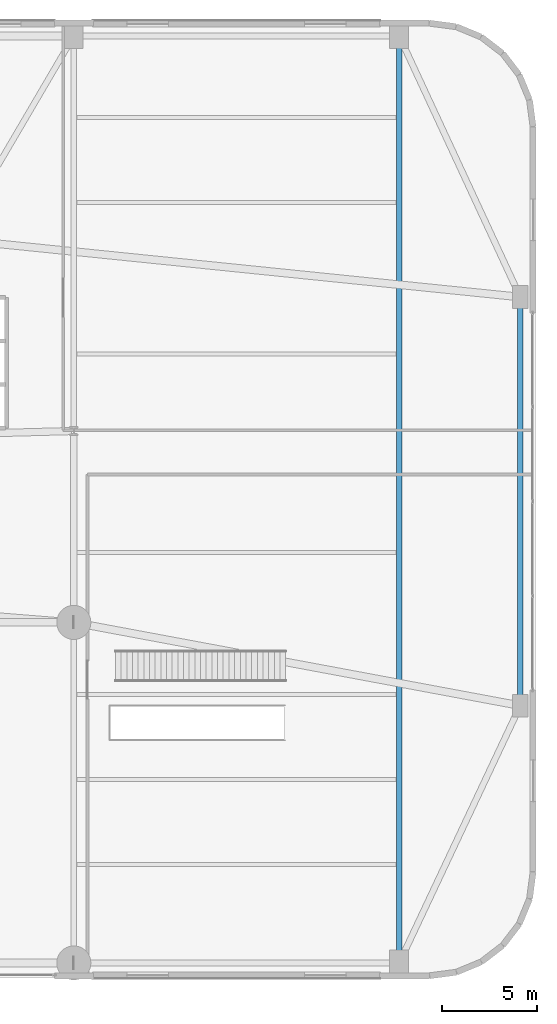
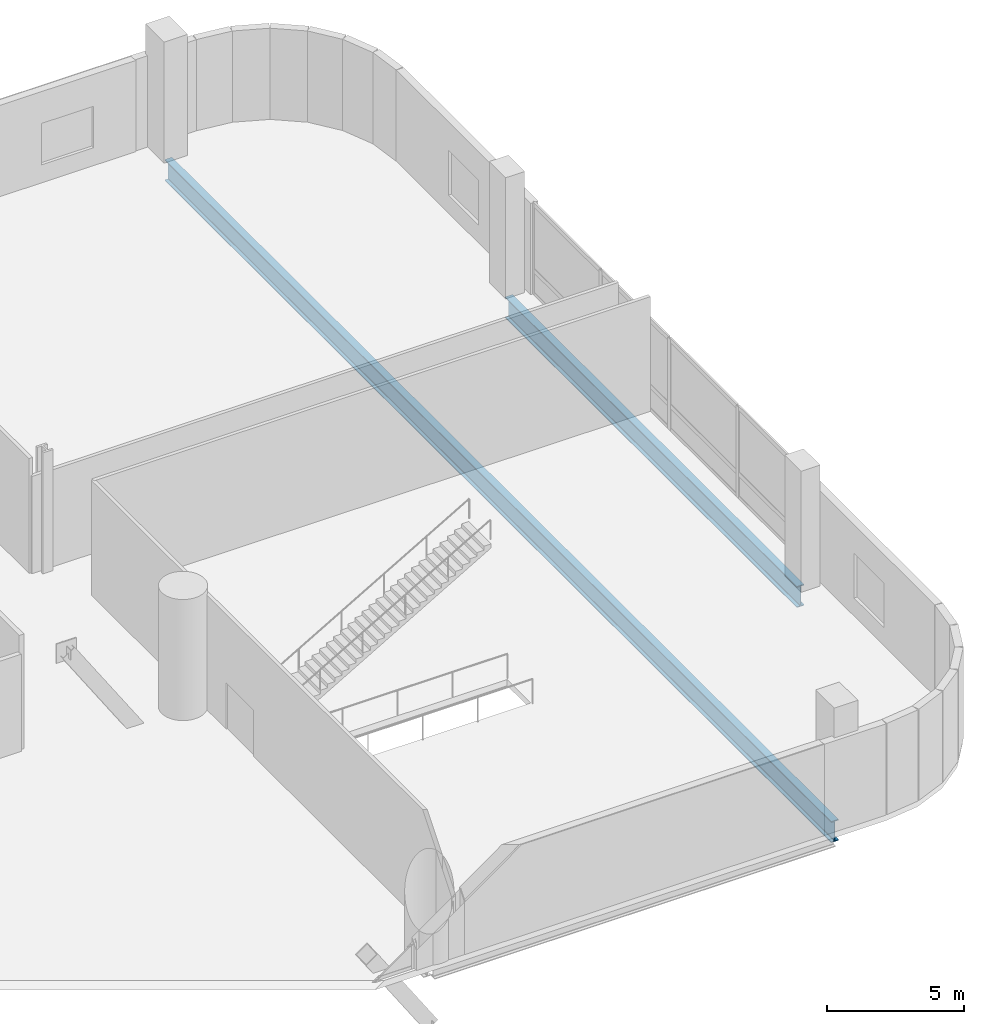
# One storey, part 22 of 40: 2 beams.
"""IFC4 building model written with IfcOpenShell, lengths in metres."""

from ifc_helpers import new_model, si_unit, direction, frame, origin, origin_2d, place, context, subcontext, project, spatial, i_section, extrude, material, material_profile, profile_set, type_object, element, save


model = new_model("IFC4")

# Units and contexts
model_context = context("Model", 3, precision=1e-05, world=origin(), true_north=direction((0.0, 1.0)))
body_context = subcontext(model_context, "Body", "Model", "MODEL_VIEW")
ifc_project = project(units=[si_unit("LENGTHUNIT", "METRE"), si_unit("AREAUNIT", "SQUARE_METRE"), si_unit("VOLUMEUNIT", "CUBIC_METRE"), si_unit("PLANEANGLEUNIT", "RADIAN"), si_unit("MASSUNIT", "GRAM", prefix="KILO")], contexts=[model_context])

# Site, building, storey
site_placement = place(None, origin())
site = spatial("IfcSite", under=ifc_project, at=site_placement, CompositionType="ELEMENT")
building_placement = place(site_placement, origin())
building = spatial("IfcBuilding", under=site, at=building_placement, Name="Varnelok Gate Tower", CompositionType="ELEMENT")
storey_placement = place(building_placement, frame((0.0, 0.0, 5.39990234375)))
storey = spatial("IfcBuildingStorey", under=building, at=storey_placement, Name="L01", CompositionType="ELEMENT", Elevation=5.39990234375)

# Beams
ifc_material = material(Name="Structural Steel ASTM A992 Grade 50", Category="steel")
ifc_material_profile = material_profile(ifc_material, i_section(OverallWidth=0.30810546875, OverallDepth=0.943115234375, WebThickness=0.022216796875, FlangeThickness=0.039794921875, FilletRadius=0.02587890625, at=origin_2d()), Name="W36X232")
ifc_profile_set = profile_set([ifc_material_profile], Name="Structural Steel ASTM A992 Grade 50")
beam_type = type_object("IfcBeamType", Name="BM-PRI-W36X232", PredefinedType="BEAM", material=ifc_profile_set)
beam_1_placement = place(storey_placement, frame((77.60009765625, 14.5400390625, -0.75146484375), z_axis=(0.0, 1.0, 0.0), x_axis=(-1.0, 0.0, 0.0)))
element("IfcBeam", 1, at=beam_1_placement, inside=storey, type_object=beam_type, Name="L01 Podium Primary Girder 7", PredefinedType="BEAM", context=body_context, shape_type="SweptSolid", body=[
    extrude(i_section(OverallWidth=0.30810546875, OverallDepth=0.943115234375, WebThickness=0.022216796875, FlangeThickness=0.039794921875, FilletRadius=0.02587890625, at=origin_2d()), origin(), (0.0, 0.0, 1.0), 21.320068359375),
])
beam_2_placement = place(storey_placement, frame((71.199951171875, 0.93994140625, -0.75146484375), z_axis=(0.0, 1.0, 0.0), x_axis=(-1.0, 0.0, 0.0)))
element("IfcBeam", 2, at=beam_2_placement, inside=storey, type_object=beam_type, Name="L01 Podium Primary Girder 15", PredefinedType="BEAM", context=body_context, shape_type="SweptSolid", body=[
    extrude(i_section(OverallWidth=0.30810546875, OverallDepth=0.943115234375, WebThickness=0.022216796875, FlangeThickness=0.039794921875, FilletRadius=0.02587890625, at=origin_2d()), origin(), (0.0, 0.0, 1.0), 48.719970703125),
])

save(model, "model.ifc")
